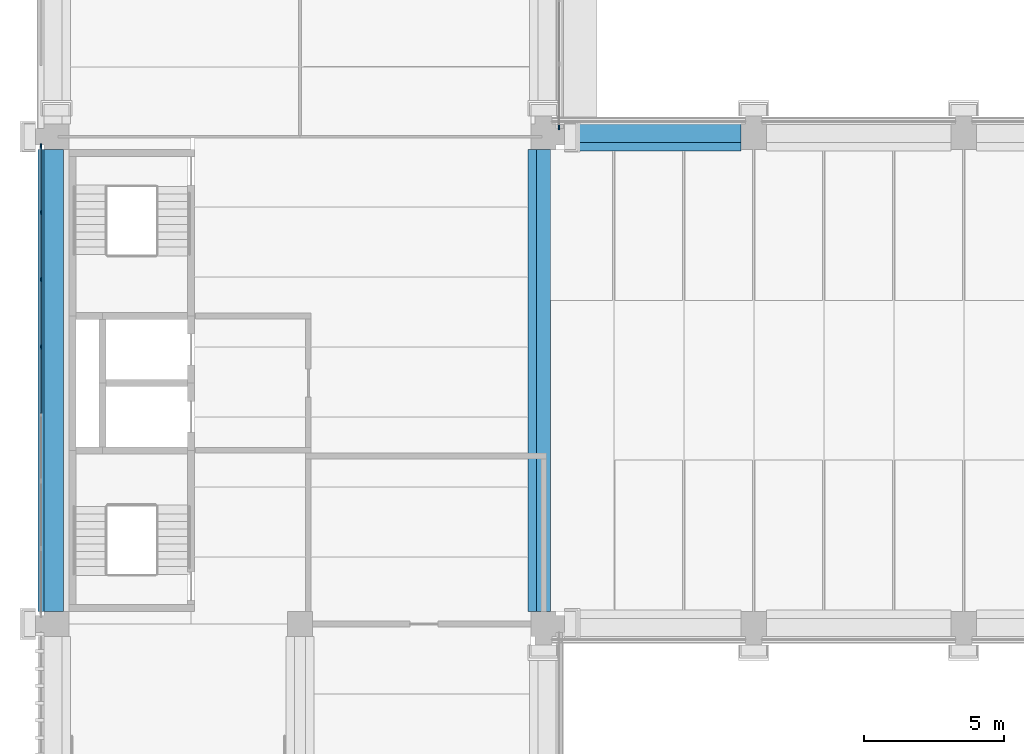
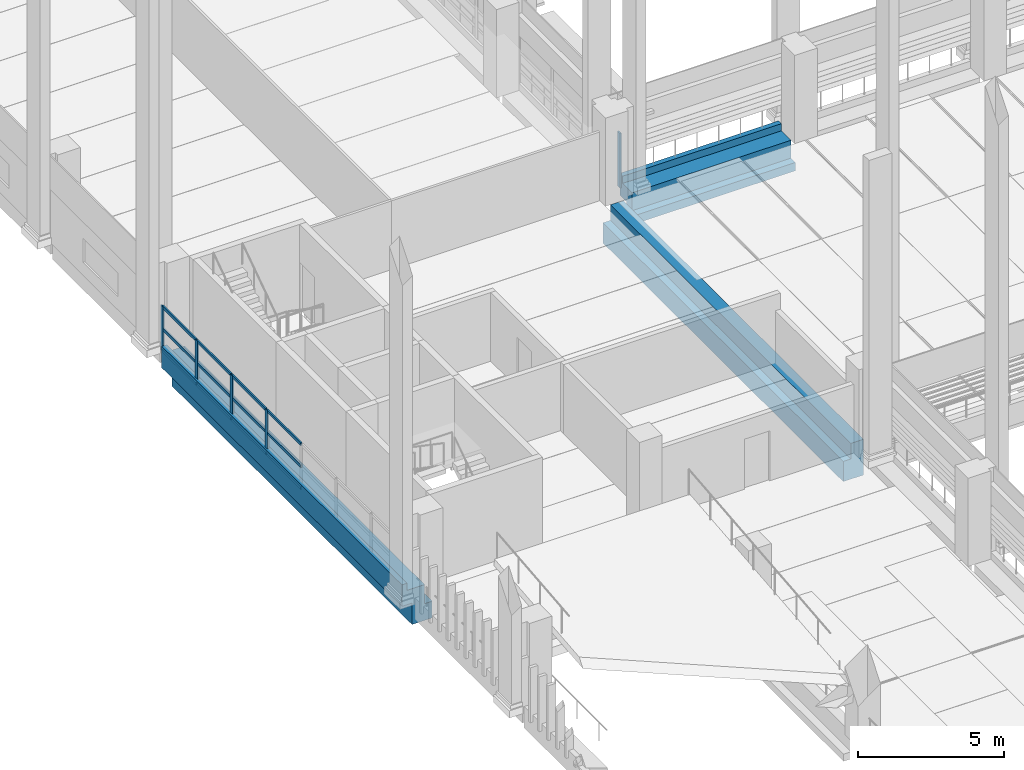
# One storey, part 5 of 67: 17 members, 3 beams, 2 elements without a shape of their own.
"""IFC4 building model written with IfcOpenShell, lengths in metres."""

from ifc_helpers import new_model, si_unit, direction, frame, origin, origin_2d, place, context, subcontext, project, spatial, polyline, rectangle, outline, extrude, material, layer, layer_set, material_profile, profile_set, type_object, element, aggregate, save


model = new_model("IFC4")

# Units and contexts
model_context = context("Model", 3, precision=1e-05, world=origin(), true_north=direction((0.0, 1.0)))
body_context = subcontext(model_context, "Body", "Model", "MODEL_VIEW")
ifc_project = project(units=[si_unit("LENGTHUNIT", "METRE"), si_unit("AREAUNIT", "SQUARE_METRE"), si_unit("VOLUMEUNIT", "CUBIC_METRE"), si_unit("PLANEANGLEUNIT", "RADIAN"), si_unit("MASSUNIT", "GRAM", prefix="KILO")], contexts=[model_context])

# Site, building, storey
site_placement = place(None, origin())
site = spatial("IfcSite", under=ifc_project, at=site_placement, CompositionType="ELEMENT")
building_placement = place(site_placement, origin())
building = spatial("IfcBuilding", under=site, at=building_placement, Name="Cour d'Honneur Mobility Palace", CompositionType="ELEMENT")
storey_placement = place(building_placement, frame((0.0, 0.0, 4.5)))
storey = spatial("IfcBuildingStorey", under=building, at=storey_placement, Name="L01", CompositionType="ELEMENT", Elevation=4.5)

# Curtain wall, member
ifc_material_1 = material(Name="Aluminium and glass", Category="aluminium")
ifc_layer = layer(ifc_material_1, 0.10009765625)
ifc_layer_set = layer_set([ifc_layer], Name="Aluminium and glass")
curtain_wall_type = type_object("IfcCurtainWallType", Name="Curtain wall run", PredefinedType="NOTDEFINED", material=ifc_layer_set)
curtain_wall_1_placement = place(storey_placement, origin())
curtain_wall_1 = element("IfcCurtainWall", 1, at=curtain_wall_1_placement, inside=storey, type_object=curtain_wall_type, Name="Curtain wall CW-16", PredefinedType="NOTDEFINED")
ifc_material_2 = material(Name="Aluminium", Category="aluminium")
ifc_material_profile_1 = material_profile(ifc_material_2, rectangle(XDim=0.06005859375, YDim=0.159912109375, at=origin_2d()), Name="Curtain wall mullion")
ifc_profile_set_1 = profile_set([ifc_material_profile_1], Name="Aluminium")
member_type_1 = type_object("IfcMemberType", Name="Curtain wall mullion", PredefinedType="MULLION", material=ifc_profile_set_1)
member_1_placement = place(storey_placement, frame((17.949951171875, 62.72998046875, 0.0), z_axis=(0.0, 0.0, 1.0), x_axis=(-1.0, 0.0, 0.0)))
member_1 = element("IfcMember", 2, at=member_1_placement, type_object=member_type_1, Name="CW-16 mullion 1", PredefinedType="MULLION", context=body_context, shape_type="SweptSolid", body=[
    extrude(rectangle(XDim=0.06005859375, YDim=0.159912109375, at=origin_2d()), origin(), (0.0, 0.0, 1.0), 2.300048828125),
])
aggregate(curtain_wall_1, [member_1])

# Curtain wall, members
curtain_wall_2_placement = place(storey_placement, origin())
curtain_wall_2 = element("IfcCurtainWall", 3, at=curtain_wall_2_placement, inside=storey, type_object=curtain_wall_type, Name="Curtain wall CW-100", PredefinedType="NOTDEFINED")
member_2_placement = place(storey_placement, frame((-0.550048828125, 62.070068359375, 0.0), z_axis=(0.0, 0.0, 1.0), x_axis=(1.0, 0.0, 0.0)))
member_2 = element("IfcMember", 4, at=member_2_placement, type_object=member_type_1, Name="CW-100 mullion 1", PredefinedType="MULLION", context=body_context, shape_type="SweptSolid", body=[
    extrude(rectangle(XDim=0.06005859375, YDim=0.159912109375, at=origin_2d()), origin(), (0.0, 0.0, 1.0), 1.89990234375),
])
member_3_placement = place(storey_placement, frame((-0.550048828125, 59.699951171875, 0.0), z_axis=(0.0, 0.0, 1.0), x_axis=(1.0, 0.0, 0.0)))
member_3 = element("IfcMember", 5, at=member_3_placement, type_object=member_type_1, Name="CW-100 mullion 2", PredefinedType="MULLION", context=body_context, shape_type="SweptSolid", body=[
    extrude(rectangle(XDim=0.06005859375, YDim=0.159912109375, at=origin_2d()), origin(), (0.0, 0.0, 1.0), 1.89990234375),
])
member_4_placement = place(storey_placement, frame((-0.550048828125, 57.300048828125, 0.0), z_axis=(0.0, 0.0, 1.0), x_axis=(1.0, 0.0, 0.0)))
member_4 = element("IfcMember", 6, at=member_4_placement, type_object=member_type_1, Name="CW-100 mullion 3", PredefinedType="MULLION", context=body_context, shape_type="SweptSolid", body=[
    extrude(rectangle(XDim=0.06005859375, YDim=0.159912109375, at=origin_2d()), origin(), (0.0, 0.0, 1.0), 1.89990234375),
])
member_5_placement = place(storey_placement, frame((-0.550048828125, 54.89990234375, 0.0), z_axis=(0.0, 0.0, 1.0), x_axis=(1.0, 0.0, 0.0)))
member_5 = element("IfcMember", 7, at=member_5_placement, type_object=member_type_1, Name="CW-100 mullion 4", PredefinedType="MULLION", context=body_context, shape_type="SweptSolid", body=[
    extrude(rectangle(XDim=0.06005859375, YDim=0.159912109375, at=origin_2d()), origin(), (0.0, 0.0, 1.0), 1.89990234375),
])
ifc_material_3 = material(Name="Aluminium", Category="aluminium")
ifc_material_profile_2 = material_profile(ifc_material_3, rectangle(XDim=0.06005859375, YDim=0.1201171875, at=origin_2d()), Name="Curtain wall transom")
ifc_profile_set_2 = profile_set([ifc_material_profile_2], Name="Aluminium")
member_type_2 = type_object("IfcMemberType", Name="Curtain wall transom", PredefinedType="USERDEFINED", material=ifc_profile_set_2)
member_6_placement = place(storey_placement, frame((-0.550048828125, 62.0400390625, 0.030029296875), z_axis=(0.0, -1.0, 0.0), x_axis=(1.0, 0.0, 0.0)))
member_6 = element("IfcMember", 8, at=member_6_placement, type_object=member_type_2, Name="CW-100 transom 1.1", ObjectType="TRANSOM", PredefinedType="USERDEFINED", context=body_context, shape_type="SweptSolid", body=[
    extrude(rectangle(XDim=0.06005859375, YDim=0.1201171875, at=origin_2d()), origin(), (0.0, 0.0, 1.0), 2.31005859375),
])
member_7_placement = place(storey_placement, frame((-0.550048828125, 62.0400390625, 0.949951171875), z_axis=(0.0, -1.0, 0.0), x_axis=(1.0, 0.0, 0.0)))
member_7 = element("IfcMember", 9, at=member_7_placement, type_object=member_type_2, Name="CW-100 transom 1.2", ObjectType="TRANSOM", PredefinedType="USERDEFINED", context=body_context, shape_type="SweptSolid", body=[
    extrude(rectangle(XDim=0.06005859375, YDim=0.1201171875, at=origin_2d()), origin(), (0.0, 0.0, 1.0), 2.31005859375),
])
member_8_placement = place(storey_placement, frame((-0.550048828125, 62.0400390625, 1.8701171875), z_axis=(0.0, -1.0, 0.0), x_axis=(1.0, 0.0, 0.0)))
member_8 = element("IfcMember", 10, at=member_8_placement, type_object=member_type_2, Name="CW-100 transom 1.3", ObjectType="TRANSOM", PredefinedType="USERDEFINED", context=body_context, shape_type="SweptSolid", body=[
    extrude(rectangle(XDim=0.06005859375, YDim=0.1201171875, at=origin_2d()), origin(), (0.0, 0.0, 1.0), 2.31005859375),
])
member_9_placement = place(storey_placement, frame((-0.550048828125, 59.669921875, 0.030029296875), z_axis=(0.0, -1.0, 0.0), x_axis=(1.0, 0.0, 0.0)))
member_9 = element("IfcMember", 11, at=member_9_placement, type_object=member_type_2, Name="CW-100 transom 2.1", ObjectType="TRANSOM", PredefinedType="USERDEFINED", context=body_context, shape_type="SweptSolid", body=[
    extrude(rectangle(XDim=0.06005859375, YDim=0.1201171875, at=origin_2d()), origin(), (0.0, 0.0, 1.0), 2.33984375),
])
member_10_placement = place(storey_placement, frame((-0.550048828125, 59.669921875, 0.949951171875), z_axis=(0.0, -1.0, 0.0), x_axis=(1.0, 0.0, 0.0)))
member_10 = element("IfcMember", 12, at=member_10_placement, type_object=member_type_2, Name="CW-100 transom 2.2", ObjectType="TRANSOM", PredefinedType="USERDEFINED", context=body_context, shape_type="SweptSolid", body=[
    extrude(rectangle(XDim=0.06005859375, YDim=0.1201171875, at=origin_2d()), origin(), (0.0, 0.0, 1.0), 2.33984375),
])
member_11_placement = place(storey_placement, frame((-0.550048828125, 59.669921875, 1.8701171875), z_axis=(0.0, -1.0, 0.0), x_axis=(1.0, 0.0, 0.0)))
member_11 = element("IfcMember", 13, at=member_11_placement, type_object=member_type_2, Name="CW-100 transom 2.3", ObjectType="TRANSOM", PredefinedType="USERDEFINED", context=body_context, shape_type="SweptSolid", body=[
    extrude(rectangle(XDim=0.06005859375, YDim=0.1201171875, at=origin_2d()), origin(), (0.0, 0.0, 1.0), 2.33984375),
])
member_12_placement = place(storey_placement, frame((-0.550048828125, 57.27001953125, 0.030029296875), z_axis=(0.0, -1.0, 0.0), x_axis=(1.0, 0.0, 0.0)))
member_12 = element("IfcMember", 14, at=member_12_placement, type_object=member_type_2, Name="CW-100 transom 3.1", ObjectType="TRANSOM", PredefinedType="USERDEFINED", context=body_context, shape_type="SweptSolid", body=[
    extrude(rectangle(XDim=0.06005859375, YDim=0.1201171875, at=origin_2d()), origin(), (0.0, 0.0, 1.0), 2.340087890625),
])
member_13_placement = place(storey_placement, frame((-0.550048828125, 57.27001953125, 0.949951171875), z_axis=(0.0, -1.0, 0.0), x_axis=(1.0, 0.0, 0.0)))
member_13 = element("IfcMember", 15, at=member_13_placement, type_object=member_type_2, Name="CW-100 transom 3.2", ObjectType="TRANSOM", PredefinedType="USERDEFINED", context=body_context, shape_type="SweptSolid", body=[
    extrude(rectangle(XDim=0.06005859375, YDim=0.1201171875, at=origin_2d()), origin(), (0.0, 0.0, 1.0), 2.340087890625),
])
member_14_placement = place(storey_placement, frame((-0.550048828125, 57.27001953125, 1.8701171875), z_axis=(0.0, -1.0, 0.0), x_axis=(1.0, 0.0, 0.0)))
member_14 = element("IfcMember", 16, at=member_14_placement, type_object=member_type_2, Name="CW-100 transom 3.3", ObjectType="TRANSOM", PredefinedType="USERDEFINED", context=body_context, shape_type="SweptSolid", body=[
    extrude(rectangle(XDim=0.06005859375, YDim=0.1201171875, at=origin_2d()), origin(), (0.0, 0.0, 1.0), 2.340087890625),
])
member_15_placement = place(storey_placement, frame((-0.550048828125, 54.8701171875, 0.030029296875), z_axis=(0.0, -1.0, 0.0), x_axis=(1.0, 0.0, 0.0)))
member_15 = element("IfcMember", 17, at=member_15_placement, type_object=member_type_2, Name="CW-100 transom 4.1", ObjectType="TRANSOM", PredefinedType="USERDEFINED", context=body_context, shape_type="SweptSolid", body=[
    extrude(rectangle(XDim=0.06005859375, YDim=0.1201171875, at=origin_2d()), origin(), (0.0, 0.0, 1.0), 2.340087890625),
])
member_16_placement = place(storey_placement, frame((-0.550048828125, 54.8701171875, 0.949951171875), z_axis=(0.0, -1.0, 0.0), x_axis=(1.0, 0.0, 0.0)))
member_16 = element("IfcMember", 18, at=member_16_placement, type_object=member_type_2, Name="CW-100 transom 4.2", ObjectType="TRANSOM", PredefinedType="USERDEFINED", context=body_context, shape_type="SweptSolid", body=[
    extrude(rectangle(XDim=0.06005859375, YDim=0.1201171875, at=origin_2d()), origin(), (0.0, 0.0, 1.0), 2.340087890625),
])
member_17_placement = place(storey_placement, frame((-0.550048828125, 54.8701171875, 1.8701171875), z_axis=(0.0, -1.0, 0.0), x_axis=(1.0, 0.0, 0.0)))
member_17 = element("IfcMember", 19, at=member_17_placement, type_object=member_type_2, Name="CW-100 transom 4.3", ObjectType="TRANSOM", PredefinedType="USERDEFINED", context=body_context, shape_type="SweptSolid", body=[
    extrude(rectangle(XDim=0.06005859375, YDim=0.1201171875, at=origin_2d()), origin(), (0.0, 0.0, 1.0), 2.340087890625),
])
aggregate(curtain_wall_2, [member_2, member_3, member_4, member_5, member_6, member_7, member_8, member_9, member_10, member_11, member_12, member_13, member_14, member_15, member_16, member_17])

# Beams
ifc_material_4 = material(Name="Concrete C45", Category="concrete")
ifc_material_profile_3 = material_profile(ifc_material_4, outline(polyline([(0.199951171875, -1.10009765625), (0.199951171875, -0.60009765625), (0.64990234375, -0.60009765625), (0.64990234375, 0.300048828125), (0.449951171875, 0.300048828125), (0.449951171875, 0.0), (0.199951171875, 0.0), (-0.199951171875, 0.0), (-0.199951171875, -0.75), (-0.5, -0.75), (-0.5, -1.10009765625), (0.199951171875, -1.10009765625)])), Name="Ledger Beam 400x1100 ledge right 350 facade left")
ifc_profile_set_3 = profile_set([ifc_material_profile_3], Name="Concrete C45")
beam_type_1 = type_object("IfcBeamType", Name="Ledger Beam 400x1100 ledge right 350 facade left", PredefinedType="BEAM", material=ifc_profile_set_3)
beam_1_placement = place(storey_placement, frame((18.14990234375, 62.39990234375, 0.0), z_axis=(1.0, 0.0, 0.0), x_axis=(0.0, 1.0, 0.0)))
element("IfcBeam", 20, at=beam_1_placement, inside=storey, type_object=beam_type_1, Name="Precast beam B4 2-3 L01", PredefinedType="BEAM", context=body_context, shape_type="SweptSolid", body=[
    extrude(outline(polyline([(0.199951171875, -1.10009765625), (0.199951171875, -0.60009765625), (0.64990234375, -0.60009765625), (0.64990234375, 0.300048828125), (0.449951171875, 0.300048828125), (0.449951171875, 0.0), (0.199951171875, 0.0), (-0.199951171875, 0.0), (-0.199951171875, -0.75), (-0.5, -0.75), (-0.5, -1.10009765625), (0.199951171875, -1.10009765625)])), origin(), (0.0, 0.0, 1.0), 6.300048828125),
])
ifc_material_5 = material(Name="Concrete C45", Category="concrete")
ifc_material_profile_4 = material_profile(ifc_material_5, outline(polyline([(0.550048828125, -1.5), (0.550048828125, -0.64990234375), (0.25, -0.64990234375), (0.25, 0.0), (-0.25, 0.0), (-0.25, -1.5), (0.550048828125, -1.5)])), Name="Ledger Beam 500x1500 ledge left 850 plain")
ifc_profile_set_4 = profile_set([ifc_material_profile_4], Name="Concrete C45")
beam_type_2 = type_object("IfcBeamType", Name="Ledger Beam 500x1500 ledge left 850 plain", PredefinedType="BEAM", material=ifc_profile_set_4)
beam_2_placement = place(storey_placement, frame((17.39990234375, 45.449951171875, 0.0), z_axis=(0.0, 1.0, 0.0), x_axis=(-1.0, 0.0, 0.0)))
element("IfcBeam", 21, at=beam_2_placement, inside=storey, type_object=beam_type_2, Name="Precast beam B13 G-H L01", PredefinedType="BEAM", context=body_context, shape_type="SweptSolid", body=[
    extrude(outline(polyline([(0.550048828125, -1.5), (0.550048828125, -0.64990234375), (0.25, -0.64990234375), (0.25, 0.0), (-0.25, 0.0), (-0.25, -1.5), (0.550048828125, -1.5)])), origin(), (0.0, 0.0, 1.0), 16.5),
])
ifc_material_6 = material(Name="Concrete C45", Category="concrete")
ifc_material_profile_5 = material_profile(ifc_material_6, outline(polyline([(0.25, -1.5), (0.25, -0.60009765625), (0.64990234375, -0.60009765625), (0.64990234375, 0.300048828125), (0.449951171875, 0.300048828125), (0.449951171875, 0.0), (0.25, 0.0), (-0.25, 0.0), (-0.25, -0.800048828125), (-0.550048828125, -0.800048828125), (-0.550048828125, -1.5), (0.25, -1.5)])), Name="Ledger Beam 500x1500 ledge right 700 facade left")
ifc_profile_set_5 = profile_set([ifc_material_profile_5], Name="Concrete C45")
beam_type_3 = type_object("IfcBeamType", Name="Ledger Beam 500x1500 ledge right 700 facade left", PredefinedType="BEAM", material=ifc_profile_set_5)
beam_3_placement = place(storey_placement, frame((0.0, 45.449951171875, 0.0), z_axis=(0.0, 1.0, 0.0), x_axis=(-1.0, 0.0, 0.0)))
element("IfcBeam", 22, at=beam_3_placement, inside=storey, type_object=beam_type_3, Name="Precast beam B8 G-H L01", PredefinedType="BEAM", context=body_context, shape_type="SweptSolid", body=[
    extrude(outline(polyline([(0.25, -1.5), (0.25, -0.60009765625), (0.64990234375, -0.60009765625), (0.64990234375, 0.300048828125), (0.449951171875, 0.300048828125), (0.449951171875, 0.0), (0.25, 0.0), (-0.25, 0.0), (-0.25, -0.800048828125), (-0.550048828125, -0.800048828125), (-0.550048828125, -1.5), (0.25, -1.5)])), origin(), (0.0, 0.0, 1.0), 16.5),
])

save(model, "model.ifc")
